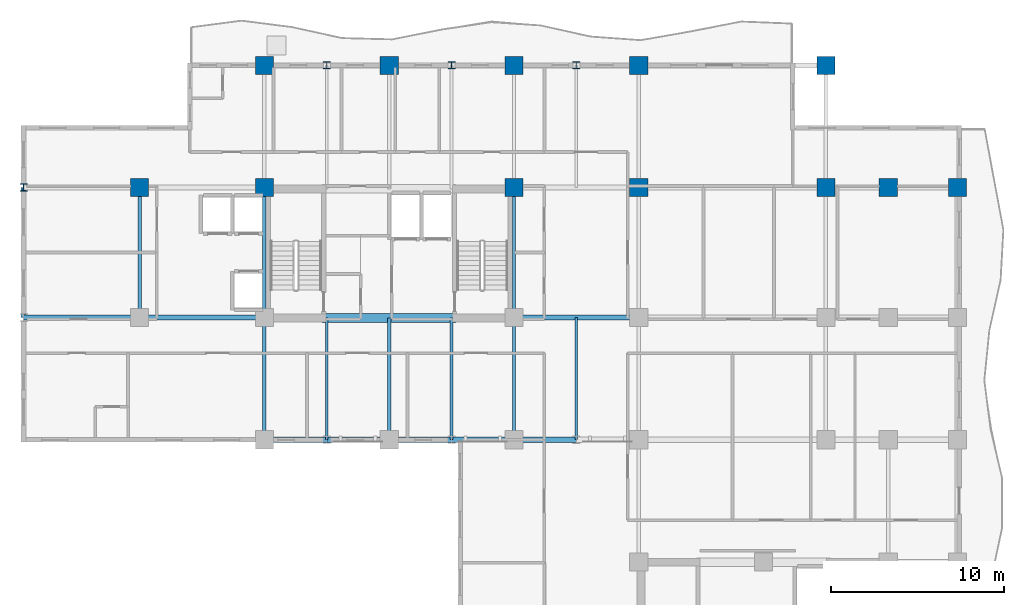
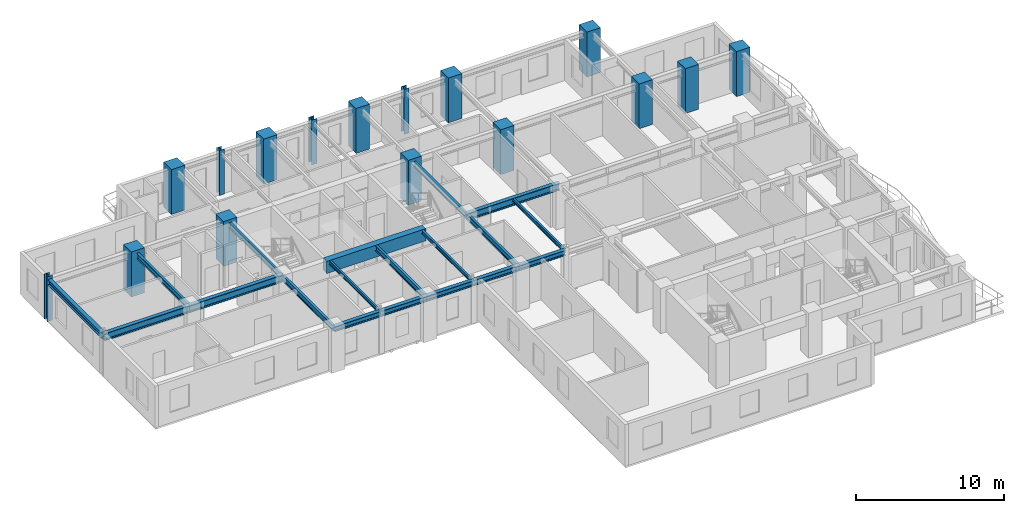
# One storey, part 2 of 13: 19 beams, 16 columns.
"""IFC4 building model written with IfcOpenShell, lengths in metres."""

import ifcopenshell
import ifcopenshell.guid

model = None  # the IFC model being written
_history = None  # IfcOwnerHistory: only IFC2X3 demands one
_inside = {}  # id of a spatial element -> (the spatial element, [elements in it])
_under = {}  # id of a project, library or spatial element -> (it, [spatial elements below it])
_declared = {}  # id of a project -> (the project, [libraries it declares])
_typed = {}  # id of a type object -> (the type object, [elements of that type])
_made_of = {}  # id of a material, layer set ... -> (it, [elements and type objects made of it])


def new_model(schema):
    """Start an empty IFC model of exactly this schema.

    Asked for "IFC4X3", IfcOpenShell would pick the latest addendum, in which some entities
    have other attributes; the version numbers below select the first issue.
    IFC2X3 requires an IfcOwnerHistory on every rooted entity: one is made here for all.
    """
    global model, _history
    if schema == "IFC4X3":
        model = ifcopenshell.file(schema_version=(4, 3, 0, 0))
    else:
        model = ifcopenshell.file(schema=schema)
    _inside.clear()
    _under.clear()
    _declared.clear()
    _typed.clear()
    _made_of.clear()
    _history = None
    if model.schema == "IFC2X3":
        org = make("IfcOrganization", Name="unknown")
        user = make(
            "IfcPersonAndOrganization",
            ThePerson=make("IfcPerson", FamilyName="unknown"),
            TheOrganization=org,
        )
        app = make(
            "IfcApplication",
            ApplicationDeveloper=org,
            Version="unknown",
            ApplicationFullName="unknown",
            ApplicationIdentifier="unknown",
        )
        _history = make(
            "IfcOwnerHistory",
            OwningUser=user,
            OwningApplication=app,
            ChangeAction="ADDED",
            CreationDate=0,
        )
    return model


def make(cls, **values):
    """One entity of the class cls with the attributes given. An attribute that is None is left unset."""
    return model.create_entity(
        cls, **{name: value for name, value in values.items() if value is not None}
    )


def rooted(cls, **values):
    """An entity with a GlobalId (a new one), such as an element, a storey or a relation."""
    return make(cls, GlobalId=ifcopenshell.guid.new(), OwnerHistory=_history, **values)


def si_unit(unit_type, name, prefix=None):
    """IfcSIUnit, for example si_unit("LENGTHUNIT", "METRE", prefix="MILLI")."""
    return make("IfcSIUnit", UnitType=unit_type, Prefix=prefix, Name=name)


def assignment(units):
    """IfcUnitAssignment: the units of a project."""
    return None if units is None else make("IfcUnitAssignment", Units=units)


def point(xyz):
    """IfcCartesianPoint."""
    return None if xyz is None else make("IfcCartesianPoint", Coordinates=xyz)


def direction(xyz):
    """IfcDirection."""
    return None if xyz is None else make("IfcDirection", DirectionRatios=xyz)


def frame(location, z_axis=None, x_axis=None):
    """IfcAxis2Placement3D, a coordinate frame: its origin and axes. An axis left out is left unset."""
    return make(
        "IfcAxis2Placement3D",
        Location=point(location),
        Axis=direction(z_axis),
        RefDirection=direction(x_axis),
    )


def frame_2d(location, x_axis=None):
    """IfcAxis2Placement2D, a coordinate frame in the plane: its origin and x axis."""
    return make(
        "IfcAxis2Placement2D", Location=point(location), RefDirection=direction(x_axis)
    )


def origin():
    """The frame at (0, 0, 0) with its axes left unset."""
    return frame((0.0, 0.0, 0.0))


def origin_2d():
    """The frame at (0, 0) in the plane with its x axis left unset."""
    return frame_2d((0.0, 0.0))


def place(relative_to, where):
    """IfcLocalPlacement: puts the frame where relative to a parent placement (None: the world)."""
    return make(
        "IfcLocalPlacement", PlacementRelTo=relative_to, RelativePlacement=where
    )


def context(
    kind, dimensions, precision=None, world=None, true_north=None, identifier=None
):
    """IfcGeometricRepresentationContext, for example the 3D "Model" context."""
    return make(
        "IfcGeometricRepresentationContext",
        ContextIdentifier=identifier,
        ContextType=kind,
        CoordinateSpaceDimension=dimensions,
        Precision=precision,
        WorldCoordinateSystem=world,
        TrueNorth=true_north,
    )


def subcontext(parent, identifier, kind, view, scale=None):
    """IfcGeometricRepresentationSubContext, for example "Body" below "Model"."""
    return make(
        "IfcGeometricRepresentationSubContext",
        ContextIdentifier=identifier,
        ContextType=kind,
        ParentContext=parent,
        TargetScale=scale,
        TargetView=view,
    )


def project(units=None, contexts=None):
    """IfcProject with its units and contexts."""
    return rooted(
        "IfcProject",
        Name="project",
        RepresentationContexts=contexts,
        UnitsInContext=assignment(units),
    )


def spatial(cls, under=None, at=None, **own):
    """A site, building, storey or space (cls), placed at a placement, below another one or the project."""
    s = rooted(cls, ObjectPlacement=at, **own)
    if under is not None:
        _under.setdefault(under.id(), (under, []))[1].append(s)
    return s


def profile(cls, at=None, kind="AREA", **sizes):
    """A parametric profile (cls). Its sizes go by their IFC names, for example OverallWidth=200.0."""
    return make(cls, ProfileType=kind, Position=at, **sizes)


def rectangle(**sizes):
    """IfcRectangleProfileDef."""
    return profile("IfcRectangleProfileDef", **sizes)


def i_section(**sizes):
    """IfcIShapeProfileDef."""
    return profile("IfcIShapeProfileDef", **sizes)


def extrude(swept, where, along, depth):
    """IfcExtrudedAreaSolid: the profile swept, set in the frame where, extruded along a direction by depth."""
    return make(
        "IfcExtrudedAreaSolid",
        SweptArea=swept,
        Position=where,
        ExtrudedDirection=direction(along),
        Depth=depth,
    )


def shape(context_of_items, identifier, shape_type, items):
    """IfcShapeRepresentation: the items that make up one representation, for example the "Body"."""
    return make(
        "IfcShapeRepresentation",
        ContextOfItems=context_of_items,
        RepresentationIdentifier=identifier,
        RepresentationType=shape_type,
        Items=items,
    )


def source(mapping_origin, context_of_items, identifier, shape_type, items):
    """IfcRepresentationMap: a shape defined once, which mapped items show again and again."""
    return make(
        "IfcRepresentationMap",
        MappingOrigin=mapping_origin,
        MappedRepresentation=shape(context_of_items, identifier, shape_type, items),
    )


def transform(
    local_origin,
    x_axis=None,
    y_axis=None,
    z_axis=None,
    scale=None,
    scale2=None,
    scale3=None,
    uniform=True,
):
    """IfcCartesianTransformationOperator3D, or its non-uniform kind. x_axis, y_axis, z_axis: its Axis1, 2, 3."""
    if uniform:
        return make(
            "IfcCartesianTransformationOperator3D",
            Axis1=direction(x_axis),
            Axis2=direction(y_axis),
            LocalOrigin=point(local_origin),
            Scale=scale,
            Axis3=direction(z_axis),
        )
    return make(
        "IfcCartesianTransformationOperator3DnonUniform",
        Axis1=direction(x_axis),
        Axis2=direction(y_axis),
        LocalOrigin=point(local_origin),
        Scale=scale,
        Axis3=direction(z_axis),
        Scale2=scale2,
        Scale3=scale3,
    )


def mapped(mapping_source, mapping_target):
    """IfcMappedItem: shows the shape of a source again, moved by a transform."""
    return make(
        "IfcMappedItem", MappingSource=mapping_source, MappingTarget=mapping_target
    )


def material(Name=None, Category=None):
    """IfcMaterial."""
    return make("IfcMaterial", Name=Name, Category=Category)


def material_profile(
    of_material, cross_section, Name=None, Category=None, Priority=None
):
    """IfcMaterialProfile: a cross section and its material."""
    return make(
        "IfcMaterialProfile",
        Name=Name,
        Material=of_material,
        Profile=cross_section,
        Priority=Priority,
        Category=Category,
    )


def profile_set(profiles, Name=None, composite=None):
    """IfcMaterialProfileSet."""
    return make(
        "IfcMaterialProfileSet",
        Name=Name,
        MaterialProfiles=profiles,
        CompositeProfile=composite,
    )


def made_of(thing, what):
    """Note that an element or type object is made of a material, layer set ...; save() writes the relation."""
    if what is not None:
        _made_of.setdefault(what.id(), (what, []))[1].append(thing)
    return thing


def type_object(cls, material=None, **own):
    """A type object (cls), such as IfcWallType, which elements share."""
    return made_of(rooted(cls, **own), material)


def element(
    cls,
    number,
    at=None,
    inside=None,
    cuts=None,
    type_object=None,
    material=None,
    context=None,
    identifier="Body",
    shape_type=None,
    held_by="IfcProductDefinitionShape",
    body=None,
    shapes=None,
    **own,
):
    """One element of the class cls, such as IfcWall. Its Tag is "e" and its number.

    at: its placement. inside: the storey or other place that contains it. cuts: it is an
    opening in that element (IfcRelVoidsElement). A single representation is given by context,
    identifier, shape_type and body (its items); several are given by shapes. held_by: the class
    of the entity that holds the representations. save() writes the other relations.
    """
    e = rooted(cls, Tag="e%d" % number, ObjectPlacement=at, **own)
    if body is not None:
        shapes = [shape(context, identifier, shape_type, body)]
    if shapes is not None:
        e.Representation = make(held_by, Representations=shapes)
    if inside is not None:
        _inside.setdefault(inside.id(), (inside, []))[1].append(e)
    if cuts is not None:
        rooted(
            "IfcRelVoidsElement", RelatingBuildingElement=cuts, RelatedOpeningElement=e
        )
    if type_object is not None:
        _typed.setdefault(type_object.id(), (type_object, []))[1].append(e)
    return made_of(e, material)


def aggregate(whole, parts):
    """IfcRelAggregates: a whole, such as a stair, and the parts it consists of."""
    return rooted("IfcRelAggregates", RelatingObject=whole, RelatedObjects=parts)


def save(model, path):
    """Write the relations noted so far, then the file.

    IfcRelAggregates (storeys below a building ...), IfcRelContainedInSpatialStructure (elements
    in a storey), IfcRelDefinesByType, IfcRelAssociatesMaterial and IfcRelDeclares: one each for
    every whole, place, type object, material and project.
    """
    for whole, parts in _under.values():
        aggregate(whole, parts)
    for where, things in _inside.values():
        rooted(
            "IfcRelContainedInSpatialStructure",
            RelatedElements=things,
            RelatingStructure=where,
        )
    for kind, things in _typed.values():
        rooted("IfcRelDefinesByType", RelatedObjects=things, RelatingType=kind)
    for what, things in _made_of.values():
        rooted("IfcRelAssociatesMaterial", RelatedObjects=things, RelatingMaterial=what)
    for by, libraries in _declared.values():
        rooted("IfcRelDeclares", RelatingContext=by, RelatedDefinitions=libraries)
    model.write(path)


model = new_model("IFC4")

# Units and contexts
model_context = context("Model", 3, precision=1e-05, world=origin(), true_north=direction((0.0, 1.0)))
body_context = subcontext(model_context, "Body", "Model", "MODEL_VIEW")
ifc_project = project(units=[si_unit("LENGTHUNIT", "METRE"), si_unit("AREAUNIT", "SQUARE_METRE"), si_unit("VOLUMEUNIT", "CUBIC_METRE"), si_unit("PLANEANGLEUNIT", "RADIAN"), si_unit("MASSUNIT", "GRAM", prefix="KILO")], contexts=[model_context])

# Site, building, storey
site_placement = place(None, origin())
site = spatial("IfcSite", under=ifc_project, at=site_placement, CompositionType="ELEMENT")
building_placement = place(site_placement, origin())
building = spatial("IfcBuilding", under=site, at=building_placement, Name="Kaliganga Portal Commons", CompositionType="ELEMENT")
storey_placement = place(building_placement, frame((0.0, 0.0, 180.89990234375)))
storey = spatial("IfcBuildingStorey", under=building, at=storey_placement, Name="L46", CompositionType="ELEMENT", Elevation=180.89990234375)

# Columns
ifc_material_1 = material(Name="Concrete C60/75", Category="concrete")
ifc_material_profile_1 = material_profile(ifc_material_1, rectangle(XDim=1.050048828125, YDim=1.050048828125, at=origin_2d()), Name="RC 1050x1050")
ifc_profile_set_1 = profile_set([ifc_material_profile_1], Name="Concrete C60/75")
column_type_1 = type_object("IfcColumnType", Name="COL-MEGA-Z3", PredefinedType="COLUMN", material=ifc_profile_set_1)
shared_shape_1 = source(origin(), body_context, "Body", "SweptSolid", [
    extrude(rectangle(XDim=1.050048828125, YDim=1.050048828125, at=origin_2d()), origin(), (0.0, 0.0, 1.0), 3.7001953125),
])
for number, where, z_axis, x_axis, name in (
    (1, (7.199951171875, 36.14990234375, 0.0), (0.0, 0.0, 1.0), (1.0, 0.0, 0.0), "Column MC-04 L46"),
    (2, (14.39990234375, 36.14990234375, 0.0), (0.0, 0.0, 1.0), (1.0, 0.0, 0.0), "Column MC-04 L46"),
    (3, (14.39990234375, 43.199951171875, 0.0), (0.0, 0.0, 1.0), (1.0, 0.0, 0.0), "Column MC-04 L46"),
    (4, (21.60009765625, 43.199951171875, 0.0), (0.0, 0.0, 1.0), (1.0, 0.0, 0.0), "Column MC-04 L46"),
    (5, (28.800048828125, 36.14990234375, 0.0), (0.0, 0.0, 1.0), (1.0, 0.0, 0.0), "Column MC-04 L46"),
    (6, (28.800048828125, 43.199951171875, 0.0), (0.0, 0.0, 1.0), (1.0, 0.0, 0.0), "Column MC-04 L46"),
    (7, (36.0, 43.199951171875, 0.0), (0.0, 0.0, 1.0), (1.0, 0.0, 0.0), "Column MC-04 L46"),
    (8, (36.0, 36.14990234375, 0.0), (0.0, 0.0, 1.0), (1.0, 0.0, 0.0), "Column MC-04 L46"),
    (9, (46.800048828125, 36.14990234375, 0.0), (0.0, 0.0, 1.0), (1.0, 0.0, 0.0), "Column MC-04 L46"),
    (10, (46.800048828125, 43.199951171875, 0.0), (0.0, 0.0, 1.0), (1.0, 0.0, 0.0), "Column MC-04 L46"),
    (11, (50.39990234375, 36.14990234375, 0.0), (0.0, 0.0, 1.0), (1.0, 0.0, 0.0), "Column MC-04 L46"),
    (12, (54.39990234375, 36.14990234375, 0.0), (0.0, 0.0, 1.0), (1.0, 0.0, 0.0), "Column MC-04 L46"),
):
    element("IfcColumn", number, at=place(storey_placement, frame(where, z_axis=z_axis, x_axis=x_axis)), inside=storey, type_object=column_type_1, Name=name, PredefinedType="COLUMN", context=body_context, shape_type="MappedRepresentation", body=[
        mapped(shared_shape_1, transform((0.0, 0.0, 0.0), x_axis=(1.0, 0.0, 0.0), y_axis=(0.0, 1.0, 0.0), z_axis=(0.0, 0.0, 1.0), scale=1.0)),
    ])
ifc_material_2 = material(Name="Structural steel S460M", Category="steel")
ifc_material_profile_2 = material_profile(ifc_material_2, i_section(OverallWidth=0.404052734375, OverallDepth=0.4140625, WebThickness=0.0205078125, FlangeThickness=0.028076171875, FilletRadius=0.014892578125, at=origin_2d()), Name="HD 400x347")
ifc_profile_set_2 = profile_set([ifc_material_profile_2], Name="Structural steel S460M wide-flange")
column_type_2 = type_object("IfcColumnType", Name="COL-TUBE-B3", PredefinedType="COLUMN", material=ifc_profile_set_2)
shared_shape_2 = source(origin(), body_context, "Body", "SweptSolid", [
    extrude(i_section(OverallWidth=0.404052734375, OverallDepth=0.4140625, WebThickness=0.0205078125, FlangeThickness=0.028076171875, FilletRadius=0.014892578125, at=origin_2d()), origin(), (0.0, 0.0, 1.0), 3.7001953125),
])
for number, where, z_axis, x_axis, name in (
    (13, (0.5, 36.14990234375, 0.0), (0.0, 0.0, 1.0), (1.0, 0.0, 0.0), "Column TC-03 L46"),
    (14, (18.0, 43.199951171875, 0.0), (0.0, 0.0, 1.0), (1.0, 0.0, 0.0), "Column TC-03 L46"),
    (15, (25.199951171875, 43.199951171875, 0.0), (0.0, 0.0, 1.0), (1.0, 0.0, 0.0), "Column TC-03 L46"),
    (16, (32.39990234375, 43.199951171875, 0.0), (0.0, 0.0, 1.0), (1.0, 0.0, 0.0), "Column TC-03 L46"),
):
    element("IfcColumn", number, at=place(storey_placement, frame(where, z_axis=z_axis, x_axis=x_axis)), inside=storey, type_object=column_type_2, Name=name, PredefinedType="COLUMN", context=body_context, shape_type="MappedRepresentation", body=[
        mapped(shared_shape_2, transform((0.0, 0.0, 0.0), x_axis=(1.0, 0.0, 0.0), y_axis=(0.0, 1.0, 0.0), z_axis=(0.0, 0.0, 1.0), scale=1.0)),
    ])

# Beams
ifc_material_3 = material(Name="Concrete C50/60", Category="concrete")
ifc_material_profile_3 = material_profile(ifc_material_3, rectangle(XDim=0.5, YDim=1.0, at=origin_2d()), Name="RC 500x1000")
ifc_profile_set_3 = profile_set([ifc_material_profile_3], Name="Concrete C50/60")
beam_type_1 = type_object("IfcBeamType", Name="BM-CPL-1000", PredefinedType="LINTEL", material=ifc_profile_set_3)
shared_shape_3 = source(origin(), body_context, "Body", "SweptSolid", [
    extrude(rectangle(XDim=0.5, YDim=1.0, at=origin_2d()), origin(), (0.0, 0.0, 1.0), 7.739990234375),
])
beam_1_placement = place(storey_placement, frame((17.72998046875, 28.625, 2.960205078125), z_axis=(1.0, 0.0, 0.0), x_axis=(0.0, 1.0, 0.0)))
element("IfcBeam", 17, at=beam_1_placement, inside=storey, type_object=beam_type_1, Name="BM CPL COREA L46 S", PredefinedType="LINTEL", context=body_context, shape_type="MappedRepresentation", body=[
    mapped(shared_shape_3, transform((0.0, 0.0, 0.0), x_axis=(1.0, 0.0, 0.0), y_axis=(0.0, 1.0, 0.0), z_axis=(0.0, 0.0, 1.0), scale=1.0)),
])
ifc_material_4 = material(Name="Structural steel S355J2", Category="steel")
ifc_material_profile_4 = material_profile(ifc_material_4, i_section(OverallWidth=0.300048828125, OverallDepth=0.449951171875, WebThickness=0.013916015625, FlangeThickness=0.02587890625, FilletRadius=0.027099609375, at=origin_2d()), Name="HE 450 B")
ifc_profile_set_4 = profile_set([ifc_material_profile_4], Name="Structural steel S355J2 wide-flange")
beam_type_2 = type_object("IfcBeamType", Name="BM-SPAND-450", PredefinedType="SPANDREL", material=ifc_profile_set_4)
shared_shape_4 = source(origin(), body_context, "Body", "SweptSolid", [
    extrude(i_section(OverallWidth=0.300048828125, OverallDepth=0.449951171875, WebThickness=0.013916015625, FlangeThickness=0.02587890625, FilletRadius=0.027099609375, at=origin_2d()), origin(), (0.0, 0.0, 1.0), 3.60009765625),
])
for number, where, z_axis, x_axis, name in (
    (18, (14.39990234375, 21.60009765625, 3.235107421875), (1.0, 0.0, 0.0), (0.0, 1.0, 0.0), "BM SP L46 AS 1"),
    (19, (18.0, 21.60009765625, 3.235107421875), (1.0, 0.0, 0.0), (0.0, 1.0, 0.0), "BM SP L46 AS 2"),
    (20, (25.199951171875, 21.60009765625, 3.235107421875), (1.0, 0.0, 0.0), (0.0, 1.0, 0.0), "BM SP L46 AS 4"),
):
    element("IfcBeam", number, at=place(storey_placement, frame(where, z_axis=z_axis, x_axis=x_axis)), inside=storey, type_object=beam_type_2, Name=name, PredefinedType="SPANDREL", context=body_context, shape_type="MappedRepresentation", body=[
        mapped(shared_shape_4, transform((0.0, 0.0, 0.0), x_axis=(1.0, 0.0, 0.0), y_axis=(0.0, 1.0, 0.0), z_axis=(0.0, 0.0, 1.0), scale=1.0)),
    ])
shared_shape_5 = source(origin(), body_context, "Body", "SweptSolid", [
    extrude(i_section(OverallWidth=0.300048828125, OverallDepth=0.449951171875, WebThickness=0.013916015625, FlangeThickness=0.02587890625, FilletRadius=0.027099609375, at=origin_2d()), origin(), (0.0, 0.0, 1.0), 3.599853515625),
])
for number, where, z_axis, x_axis, name in (
    (21, (21.60009765625, 21.60009765625, 3.235107421875), (1.0, 0.0, 0.0), (0.0, 1.0, 0.0), "BM SP L46 AS 3"),
    (22, (28.800048828125, 21.60009765625, 3.235107421875), (1.0, 0.0, 0.0), (0.0, 1.0, 0.0), "BM SP L46 AS 5"),
):
    element("IfcBeam", number, at=place(storey_placement, frame(where, z_axis=z_axis, x_axis=x_axis)), inside=storey, type_object=beam_type_2, Name=name, PredefinedType="SPANDREL", context=body_context, shape_type="MappedRepresentation", body=[
        mapped(shared_shape_5, transform((0.0, 0.0, 0.0), x_axis=(1.0, 0.0, 0.0), y_axis=(0.0, 1.0, 0.0), z_axis=(0.0, 0.0, 1.0), scale=1.0)),
    ])
shared_shape_6 = source(origin(), body_context, "Body", "SweptSolid", [
    extrude(i_section(OverallWidth=0.300048828125, OverallDepth=0.449951171875, WebThickness=0.013916015625, FlangeThickness=0.02587890625, FilletRadius=0.027099609375, at=origin_2d()), origin(), (0.0, 0.0, 1.0), 7.5),
])
beam_2_placement = place(storey_placement, frame((0.5, 28.64990234375, 3.235107421875), z_axis=(0.0, 1.0, 0.0), x_axis=(-1.0, 0.0, 0.0)))
element("IfcBeam", 23, at=beam_2_placement, inside=storey, type_object=beam_type_2, Name="BM SP L46 AW", PredefinedType="SPANDREL", context=body_context, shape_type="MappedRepresentation", body=[
    mapped(shared_shape_6, transform((0.0, 0.0, 0.0), x_axis=(1.0, 0.0, 0.0), y_axis=(0.0, 1.0, 0.0), z_axis=(0.0, 0.0, 1.0), scale=1.0)),
])
ifc_material_profile_5 = material_profile(ifc_material_4, i_section(OverallWidth=0.300048828125, OverallDepth=0.60009765625, WebThickness=0.015380859375, FlangeThickness=0.030029296875, FilletRadius=0.027099609375, at=origin_2d()), Name="HE 600 B")
ifc_profile_set_5 = profile_set([ifc_material_profile_5], Name="Structural steel S355J2 wide-flange")
beam_type_3 = type_object("IfcBeamType", Name="BM-GIRD-600", PredefinedType="USERDEFINED", material=ifc_profile_set_5)
shared_shape_7 = source(origin(), body_context, "Body", "SweptSolid", [
    extrude(i_section(OverallWidth=0.300048828125, OverallDepth=0.60009765625, WebThickness=0.015380859375, FlangeThickness=0.030029296875, FilletRadius=0.027099609375, at=origin_2d()), origin(), (0.0, 0.0, 1.0), 6.699951171875),
])
beam_3_placement = place(storey_placement, frame((0.5, 28.64990234375, 3.16015625), z_axis=(1.0, 0.0, 0.0), x_axis=(0.0, 1.0, 0.0)))
element("IfcBeam", 24, at=beam_3_placement, inside=storey, type_object=beam_type_3, Name="BM G L46 WAH_S 1", ObjectType="GIRDER", PredefinedType="USERDEFINED", context=body_context, shape_type="MappedRepresentation", body=[
    mapped(shared_shape_7, transform((0.0, 0.0, 0.0), x_axis=(1.0, 0.0, 0.0), y_axis=(0.0, 1.0, 0.0), z_axis=(0.0, 0.0, 1.0), scale=1.0)),
])
shared_shape_8 = source(origin(), body_context, "Body", "SweptSolid", [
    extrude(i_section(OverallWidth=0.300048828125, OverallDepth=0.60009765625, WebThickness=0.015380859375, FlangeThickness=0.030029296875, FilletRadius=0.027099609375, at=origin_2d()), origin(), (0.0, 0.0, 1.0), 7.199951171875),
])
for number, where, z_axis, x_axis, name in (
    (25, (7.199951171875, 28.64990234375, 3.16015625), (1.0, 0.0, 0.0), (0.0, 1.0, 0.0), "BM G L46 WAH_S 2"),
    (26, (28.800048828125, 28.64990234375, 3.16015625), (1.0, 0.0, 0.0), (0.0, 1.0, 0.0), "BM G L46 WAE_S 1"),
):
    element("IfcBeam", number, at=place(storey_placement, frame(where, z_axis=z_axis, x_axis=x_axis)), inside=storey, type_object=beam_type_3, Name=name, ObjectType="GIRDER", PredefinedType="USERDEFINED", context=body_context, shape_type="MappedRepresentation", body=[
        mapped(shared_shape_8, transform((0.0, 0.0, 0.0), x_axis=(1.0, 0.0, 0.0), y_axis=(0.0, 1.0, 0.0), z_axis=(0.0, 0.0, 1.0), scale=1.0)),
    ])
ifc_material_profile_6 = material_profile(ifc_material_4, i_section(OverallWidth=0.18994140625, OverallDepth=0.449951171875, WebThickness=0.009521484375, FlangeThickness=0.0146484375, FilletRadius=0.02099609375, at=origin_2d()), Name="IPE 450")
ifc_profile_set_6 = profile_set([ifc_material_profile_6], Name="Structural steel S355J2 wide-flange")
beam_type_4 = type_object("IfcBeamType", Name="BM-FLR-450", PredefinedType="BEAM", material=ifc_profile_set_6)
shared_shape_9 = source(origin(), body_context, "Body", "SweptSolid", [
    extrude(i_section(OverallWidth=0.18994140625, OverallDepth=0.449951171875, WebThickness=0.009521484375, FlangeThickness=0.0146484375, FilletRadius=0.02099609375, at=origin_2d()), origin(), (0.0, 0.0, 1.0), 7.5),
])
for number, where, z_axis, x_axis, name in (
    (27, (7.199951171875, 28.64990234375, 3.235107421875), (0.0, 1.0, 0.0), (-1.0, 0.0, 0.0), "BM G L46 AW72"),
    (28, (14.39990234375, 28.64990234375, 3.235107421875), (0.0, 1.0, 0.0), (-1.0, 0.0, 0.0), "BM G L46 AM144"),
    (29, (28.800048828125, 28.64990234375, 3.235107421875), (0.0, 1.0, 0.0), (-1.0, 0.0, 0.0), "BM G L46 AM288"),
):
    element("IfcBeam", number, at=place(storey_placement, frame(where, z_axis=z_axis, x_axis=x_axis)), inside=storey, type_object=beam_type_4, Name=name, PredefinedType="BEAM", context=body_context, shape_type="MappedRepresentation", body=[
        mapped(shared_shape_9, transform((0.0, 0.0, 0.0), x_axis=(1.0, 0.0, 0.0), y_axis=(0.0, 1.0, 0.0), z_axis=(0.0, 0.0, 1.0), scale=1.0)),
    ])
shared_shape_10 = source(origin(), body_context, "Body", "SweptSolid", [
    extrude(i_section(OverallWidth=0.18994140625, OverallDepth=0.449951171875, WebThickness=0.009521484375, FlangeThickness=0.0146484375, FilletRadius=0.02099609375, at=origin_2d()), origin(), (0.0, 0.0, 1.0), 7.0498046875),
])
for number, where, z_axis, x_axis, name in (
    (30, (14.39990234375, 21.60009765625, 3.235107421875), (0.0, 1.0, 0.0), (-1.0, 0.0, 0.0), "BM G L46 AS144"),
    (31, (28.800048828125, 21.60009765625, 3.235107421875), (0.0, 1.0, 0.0), (-1.0, 0.0, 0.0), "BM G L46 AS288"),
):
    element("IfcBeam", number, at=place(storey_placement, frame(where, z_axis=z_axis, x_axis=x_axis)), inside=storey, type_object=beam_type_4, Name=name, PredefinedType="BEAM", context=body_context, shape_type="MappedRepresentation", body=[
        mapped(shared_shape_10, transform((0.0, 0.0, 0.0), x_axis=(1.0, 0.0, 0.0), y_axis=(0.0, 1.0, 0.0), z_axis=(0.0, 0.0, 1.0), scale=1.0)),
    ])
ifc_material_profile_7 = material_profile(ifc_material_4, i_section(OverallWidth=0.14990234375, OverallDepth=0.300048828125, WebThickness=0.007080078125, FlangeThickness=0.0107421875, FilletRadius=0.014892578125, at=origin_2d()), Name="IPE 300")
ifc_profile_set_7 = profile_set([ifc_material_profile_7], Name="Structural steel S355J2 wide-flange")
beam_type_5 = type_object("IfcBeamType", Name="BM-JST-300", PredefinedType="JOIST", material=ifc_profile_set_7)
shared_shape_11 = source(origin(), body_context, "Body", "SweptSolid", [
    extrude(i_section(OverallWidth=0.14990234375, OverallDepth=0.300048828125, WebThickness=0.007080078125, FlangeThickness=0.0107421875, FilletRadius=0.014892578125, at=origin_2d()), origin(), (0.0, 0.0, 1.0), 7.02490234375),
])
for number, where, z_axis, x_axis, name in (
    (32, (18.0, 21.60009765625, 3.31005859375), (0.0, 1.0, 0.0), (-1.0, 0.0, 0.0), "BM G L46 AS180"),
    (33, (25.199951171875, 21.60009765625, 3.31005859375), (0.0, 1.0, 0.0), (-1.0, 0.0, 0.0), "BM G L46 AS252"),
):
    element("IfcBeam", number, at=place(storey_placement, frame(where, z_axis=z_axis, x_axis=x_axis)), inside=storey, type_object=beam_type_5, Name=name, PredefinedType="JOIST", context=body_context, shape_type="MappedRepresentation", body=[
        mapped(shared_shape_11, transform((0.0, 0.0, 0.0), x_axis=(1.0, 0.0, 0.0), y_axis=(0.0, 1.0, 0.0), z_axis=(0.0, 0.0, 1.0), scale=1.0)),
    ])
shared_shape_12 = source(origin(), body_context, "Body", "SweptSolid", [
    extrude(i_section(OverallWidth=0.18994140625, OverallDepth=0.449951171875, WebThickness=0.009521484375, FlangeThickness=0.0146484375, FilletRadius=0.02099609375, at=origin_2d()), origin(), (0.0, 0.0, 1.0), 7.02490234375),
])
beam_4_placement = place(storey_placement, frame((21.60009765625, 21.60009765625, 3.235107421875), z_axis=(0.0, 1.0, 0.0), x_axis=(-1.0, 0.0, 0.0)))
element("IfcBeam", 34, at=beam_4_placement, inside=storey, type_object=beam_type_4, Name="BM G L46 AS216", PredefinedType="BEAM", context=body_context, shape_type="MappedRepresentation", body=[
    mapped(shared_shape_12, transform((0.0, 0.0, 0.0), x_axis=(1.0, 0.0, 0.0), y_axis=(0.0, 1.0, 0.0), z_axis=(0.0, 0.0, 1.0), scale=1.0)),
])
shared_shape_13 = source(origin(), body_context, "Body", "SweptSolid", [
    extrude(i_section(OverallWidth=0.14990234375, OverallDepth=0.300048828125, WebThickness=0.007080078125, FlangeThickness=0.0107421875, FilletRadius=0.014892578125, at=origin_2d()), origin(), (0.0, 0.0, 1.0), 7.0498046875),
])
beam_5_placement = place(storey_placement, frame((32.39990234375, 21.60009765625, 3.31005859375), z_axis=(0.0, 1.0, 0.0), x_axis=(-1.0, 0.0, 0.0)))
element("IfcBeam", 35, at=beam_5_placement, inside=storey, type_object=beam_type_5, Name="BM G L46 AS324", PredefinedType="JOIST", context=body_context, shape_type="MappedRepresentation", body=[
    mapped(shared_shape_13, transform((0.0, 0.0, 0.0), x_axis=(1.0, 0.0, 0.0), y_axis=(0.0, 1.0, 0.0), z_axis=(0.0, 0.0, 1.0), scale=1.0)),
])

save(model, "model.ifc")
